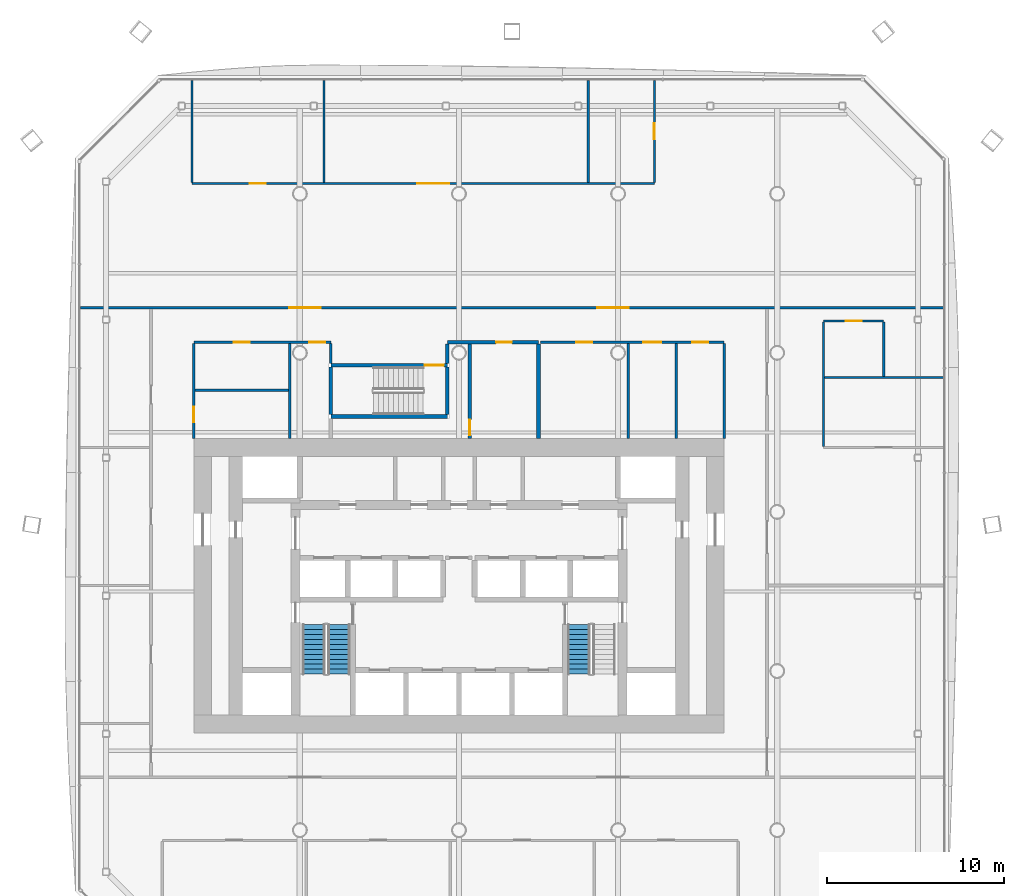
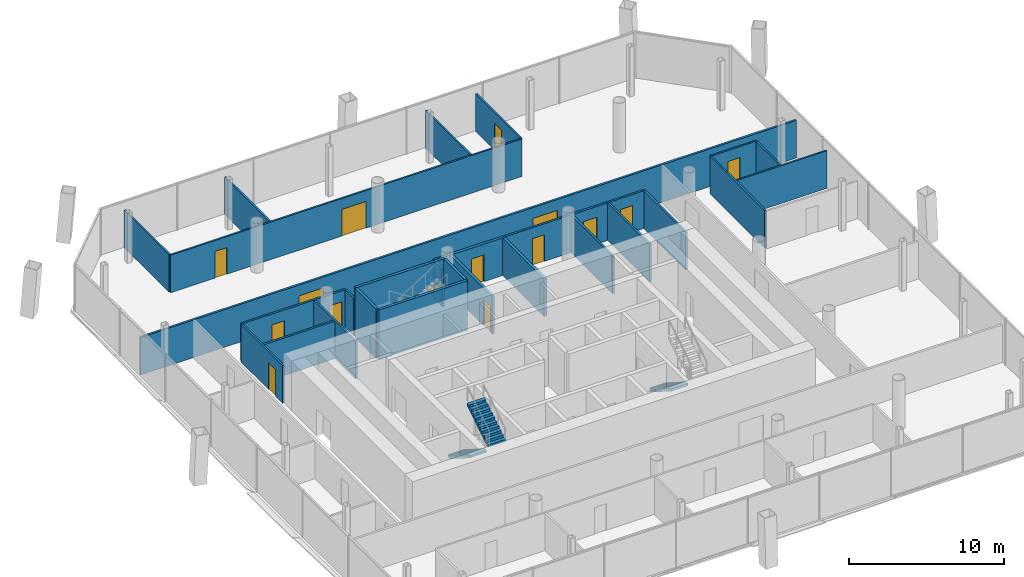
# One storey, part 13 of 19: 27 walls, 15 doors, 3 stair flights, 15 openings, 2 elements without a shape of their own.
"""IFC4 building model written with IfcOpenShell, lengths in metres."""

from ifc_helpers import new_model, si_unit, direction, frame, frame_2d, origin, place, context, subcontext, project, spatial, polyline, rectangle, outline, extrude, material, layer, layer_set, type_object, element, fill, aggregate, save


model = new_model("IFC4")

# Units and contexts
model_context = context("Model", 3, precision=1e-05, world=origin(), true_north=direction((0.0, 1.0)))
body_context = subcontext(model_context, "Body", "Model", "MODEL_VIEW")
ifc_project = project(units=[si_unit("LENGTHUNIT", "METRE"), si_unit("AREAUNIT", "SQUARE_METRE"), si_unit("VOLUMEUNIT", "CUBIC_METRE"), si_unit("PLANEANGLEUNIT", "RADIAN"), si_unit("MASSUNIT", "GRAM", prefix="KILO")], contexts=[model_context])

# Site, building, storey
site_placement = place(None, origin())
site = spatial("IfcSite", under=ifc_project, at=site_placement, CompositionType="ELEMENT")
building_placement = place(site_placement, origin())
building = spatial("IfcBuilding", under=site, at=building_placement, Name="Tskaro Facet Tower", CompositionType="ELEMENT")
storey_placement = place(building_placement, frame((0.0, 0.0, 93.300048828125)))
storey = spatial("IfcBuildingStorey", under=building, at=storey_placement, Name="L22", CompositionType="ELEMENT", Elevation=93.300048828125)

# Wall
ifc_material_1 = material(Name="Gypsum board on steel studs", Category="steel")
ifc_layer_1 = layer(ifc_material_1, 0.125, Name="Gypsum board on steel studs")
ifc_layer_set_1 = layer_set([ifc_layer_1], Name="Gypsum board on steel studs")
wall_type_1 = type_object("IfcWallType", Name="PART", PredefinedType="PARTITIONING", material=ifc_layer_set_1)
wall_1_placement = place(storey_placement, frame((20.6875, 7.60107421875, 0.0), z_axis=(0.0, 0.0, 1.0), x_axis=(1.0, 0.0, 0.0)))
element("IfcWall", 1, at=wall_1_placement, inside=storey, type_object=wall_type_1, Name="Partition W020", PredefinedType="PARTITIONING", context=body_context, shape_type="SweptSolid", body=[
    extrude(rectangle(XDim=6.7255859375, YDim=0.125, at=frame_2d((3.36279296875, 0.0))), origin(), (0.0, 0.0, 1.0), 2.9599609375),
])

# Wall, opening, door
wall_2_placement = place(storey_placement, frame((24.02490234375, 10.801025390625, 0.0), z_axis=(0.0, 0.0, 1.0), x_axis=(-1.0, 0.0, 0.0)))
wall_2 = element("IfcWall", 2, at=wall_2_placement, inside=storey, type_object=wall_type_1, Name="Partition W025", PredefinedType="PARTITIONING", context=body_context, shape_type="SweptSolid", body=[
    extrude(rectangle(XDim=3.39990234375, YDim=0.125, at=frame_2d((1.699951171875, 0.0))), origin(), (0.0, 0.0, 1.0), 2.9599609375),
])
opening_1_placement = place(wall_2_placement, frame((1.25, 0.0, 0.0)))
opening_1 = element("IfcOpeningElement", 3, at=opening_1_placement, cuts=wall_2, Name="Opening T6-D38", PredefinedType="OPENING", context=body_context, shape_type="SweptSolid", body=[
    extrude(rectangle(XDim=0.89990234375, YDim=2.10009765625, at=frame_2d((0.449951171875, 1.050048828125))), frame((0.0, 0.072509765625, 0.0), z_axis=(0.0, -1.0, 0.0), x_axis=(1.0, 0.0, 0.0)), (0.0, 0.0, 1.0), 0.14501953125),
])
ifc_material_2 = material(Name="Timber", Category="wood")
door_type_1 = type_object("IfcDoorType", Name="D-ROOM", OperationType="NOTDEFINED", PredefinedType="DOOR", material=ifc_material_2)
door_1_placement = place(opening_1_placement, origin())
door_1 = element("IfcDoor", 4, at=door_1_placement, inside=storey, type_object=door_type_1, Name="Door T6-D38", OperationType="SINGLE_SWING_RIGHT", OverallHeight=2.10009765625, OverallWidth=0.89990234375, PredefinedType="DOOR", context=body_context, shape_type="SweptSolid", body=[
    extrude(rectangle(XDim=0.89990234375, YDim=2.10009765625, at=frame_2d((0.449951171875, 1.050048828125))), frame((0.0, 0.02490234375, 0.0), z_axis=(0.0, -1.0, 0.0), x_axis=(1.0, 0.0, 0.0)), (0.0, 0.0, 1.0), 0.050048828125),
])
fill(opening_1, door_1)

# Wall, openings, doors
wall_3_placement = place(storey_placement, frame((-15.110107421875, 18.580078125, 0.0), z_axis=(0.0, 0.0, 1.0), x_axis=(1.0, 0.0, 0.0)))
wall_3 = element("IfcWall", 5, at=wall_3_placement, inside=storey, type_object=wall_type_1, Name="Partition W027", PredefinedType="PARTITIONING", context=body_context, shape_type="SweptSolid", body=[
    extrude(rectangle(XDim=26.166015625, YDim=0.125, at=frame_2d((13.0830078125, 0.0))), origin(), (0.0, 0.0, 1.0), 2.9599609375),
])
opening_2_placement = place(wall_3_placement, frame((12.751953125, 0.0, 0.0)))
opening_2 = element("IfcOpeningElement", 6, at=opening_2_placement, cuts=wall_3, Name="Opening T6-D42", PredefinedType="OPENING", context=body_context, shape_type="SweptSolid", body=[
    extrude(rectangle(XDim=1.800048828125, YDim=2.10009765625, at=frame_2d((0.89990234375, 1.050048828125))), frame((0.0, 0.072509765625, 0.0), z_axis=(0.0, -1.0, 0.0), x_axis=(1.0, 0.0, 0.0)), (0.0, 0.0, 1.0), 0.14501953125),
])
opening_3_placement = place(wall_3_placement, frame((3.2880859375, 0.0, 0.0)))
opening_3 = element("IfcOpeningElement", 7, at=opening_3_placement, cuts=wall_3, Name="Opening T6-D41", PredefinedType="OPENING", context=body_context, shape_type="SweptSolid", body=[
    extrude(rectangle(XDim=0.89990234375, YDim=2.10009765625, at=frame_2d((0.449951171875, 1.050048828125))), frame((0.0, 0.072509765625, 0.0), z_axis=(0.0, -1.0, 0.0), x_axis=(1.0, 0.0, 0.0)), (0.0, 0.0, 1.0), 0.14501953125),
])
ifc_material_3 = material(Name="Glass", Category="glass")
door_type_2 = type_object("IfcDoorType", Name="D-ENTRY-PAIR", OperationType="NOTDEFINED", PredefinedType="DOOR", material=ifc_material_3)
door_2_placement = place(opening_2_placement, origin())
door_2 = element("IfcDoor", 8, at=door_2_placement, inside=storey, type_object=door_type_2, Name="Door T6-D42", OperationType="DOUBLE_DOOR_SINGLE_SWING", OverallHeight=2.10009765625, OverallWidth=1.800048828125, PredefinedType="DOOR", context=body_context, shape_type="SweptSolid", body=[
    extrude(rectangle(XDim=1.800048828125, YDim=2.10009765625, at=frame_2d((0.89990234375, 1.050048828125))), frame((0.0, 0.02490234375, 0.0), z_axis=(0.0, -1.0, 0.0), x_axis=(1.0, 0.0, 0.0)), (0.0, 0.0, 1.0), 0.050048828125),
])
fill(opening_2, door_2)
door_3_placement = place(opening_3_placement, origin())
door_3 = element("IfcDoor", 9, at=door_3_placement, inside=storey, type_object=door_type_1, Name="Door T6-D41", OperationType="SINGLE_SWING_LEFT", OverallHeight=2.10009765625, OverallWidth=0.89990234375, PredefinedType="DOOR", context=body_context, shape_type="SweptSolid", body=[
    extrude(rectangle(XDim=0.89990234375, YDim=2.10009765625, at=frame_2d((0.449951171875, 1.050048828125))), frame((0.0, 0.02490234375, 0.0), z_axis=(0.0, -1.0, 0.0), x_axis=(1.0, 0.0, 0.0)), (0.0, 0.0, 1.0), 0.050048828125),
])
fill(opening_3, door_3)

# Walls
for number, where, z_axis, x_axis, name in (
    (10, (-15.110107421875, 18.642578125, 0.0), (0.0, 0.0, 1.0), (0.0, 1.0, 0.0), "Partition W030"),
    (11, (-7.634033203125, 18.642578125, 0.0), (0.0, 0.0, 1.0), (0.0, 1.0, 0.0), "Partition W035"),
    (12, (7.318115234375, 18.642578125, 0.0), (0.0, 0.0, 1.0), (0.0, 1.0, 0.0), "Partition W059"),
):
    element("IfcWall", number, at=place(storey_placement, frame(where, z_axis=z_axis, x_axis=x_axis)), inside=storey, type_object=wall_type_1, Name=name, PredefinedType="PARTITIONING", context=body_context, shape_type="SweptSolid", body=[
        extrude(rectangle(XDim=5.7705078125, YDim=0.125, at=frame_2d((2.88525390625, 0.0))), origin(), (0.0, 0.0, 1.0), 2.9599609375),
    ])

# Wall, opening, door
wall_4_placement = place(storey_placement, frame((11.055908203125, 18.642578125, 0.0), z_axis=(0.0, 0.0, 1.0), x_axis=(0.0, 1.0, 0.0)))
wall_4 = element("IfcWall", 13, at=wall_4_placement, inside=storey, type_object=wall_type_1, Name="Partition W063", PredefinedType="PARTITIONING", context=body_context, shape_type="SweptSolid", body=[
    extrude(rectangle(XDim=5.7705078125, YDim=0.125, at=frame_2d((2.88525390625, 0.0))), origin(), (0.0, 0.0, 1.0), 2.9599609375),
])
opening_4_placement = place(wall_4_placement, frame((2.435302734375, 0.0, 0.0)))
opening_4 = element("IfcOpeningElement", 14, at=opening_4_placement, cuts=wall_4, Name="Opening T6-D43", PredefinedType="OPENING", context=body_context, shape_type="SweptSolid", body=[
    extrude(rectangle(XDim=0.89990234375, YDim=2.10009765625, at=frame_2d((0.449951171875, 1.050048828125))), frame((0.0, 0.072509765625, 0.0), z_axis=(0.0, -1.0, 0.0), x_axis=(1.0, 0.0, 0.0)), (0.0, 0.0, 1.0), 0.14501953125),
])
door_4_placement = place(opening_4_placement, origin())
door_4 = element("IfcDoor", 15, at=door_4_placement, inside=storey, type_object=door_type_1, Name="Door T6-D43", OperationType="SINGLE_SWING_LEFT", OverallHeight=2.10009765625, OverallWidth=0.89990234375, PredefinedType="DOOR", context=body_context, shape_type="SweptSolid", body=[
    extrude(rectangle(XDim=0.89990234375, YDim=2.10009765625, at=frame_2d((0.449951171875, 1.050048828125))), frame((0.0, 0.02490234375, 0.0), z_axis=(0.0, -1.0, 0.0), x_axis=(1.0, 0.0, 0.0)), (0.0, 0.0, 1.0), 0.050048828125),
])
fill(opening_4, door_4)

# Walls
wall_5_placement = place(storey_placement, frame((20.625, 3.71044921875, 0.0), z_axis=(0.0, 0.0, 1.0), x_axis=(0.0, 1.0, 0.0)))
element("IfcWall", 16, at=wall_5_placement, inside=storey, type_object=wall_type_1, Name="Partition W068", PredefinedType="PARTITIONING", context=body_context, shape_type="SweptSolid", body=[
    extrude(rectangle(XDim=7.028076171875, YDim=0.125, at=frame_2d((3.51416015625, 0.0))), origin(), (0.0, 0.0, 1.0), 2.9599609375),
])
wall_6_placement = place(storey_placement, frame((24.02490234375, 7.66357421875, 0.0), z_axis=(0.0, 0.0, 1.0), x_axis=(0.0, 1.0, 0.0)))
element("IfcWall", 17, at=wall_6_placement, inside=storey, type_object=wall_type_1, Name="Partition W069", PredefinedType="PARTITIONING", context=body_context, shape_type="SweptSolid", body=[
    extrude(rectangle(XDim=3.074951171875, YDim=0.125, at=frame_2d((1.53759765625, 0.0))), origin(), (0.0, 0.0, 1.0), 2.9599609375),
])
ifc_layer_2 = layer(ifc_material_1, 0.14990234375, Name="Gypsum board on steel studs")
ifc_layer_set_2 = layer_set([ifc_layer_2], Name="Gypsum board on steel studs")
wall_type_2 = type_object("IfcWallType", Name="PART-CORR", PredefinedType="PARTITIONING", material=ifc_layer_set_2)
wall_7_placement = place(storey_placement, frame((-14.925048828125, 6.8779296875, 0.0), z_axis=(0.0, 0.0, 1.0), x_axis=(1.0, 0.0, 0.0)))
element("IfcWall", 18, at=wall_7_placement, inside=storey, type_object=wall_type_2, Name="Corridor wall W019", PredefinedType="PARTITIONING", context=body_context, shape_type="SweptSolid", body=[
    extrude(rectangle(XDim=5.275146484375, YDim=0.14990234375, at=frame_2d((2.6376953125, 0.0))), origin(), (0.0, 0.0, 1.0), 2.9599609375),
])

# Wall, openings, doors
wall_8_placement = place(storey_placement, frame((-7.25, 9.60498046875, 0.0), z_axis=(0.0, 0.0, 1.0), x_axis=(-1.0, 0.0, 0.0)))
wall_8 = element("IfcWall", 19, at=wall_8_placement, inside=storey, type_object=wall_type_2, Name="Corridor wall W022", PredefinedType="PARTITIONING", context=body_context, shape_type="SweptSolid", body=[
    extrude(rectangle(XDim=7.75, YDim=0.14990234375, at=frame_2d((3.875, 0.0))), origin(), (0.0, 0.0, 1.0), 2.9599609375),
])
opening_5_placement = place(wall_8_placement, frame((0.3125, 0.0, 0.0)))
opening_5 = element("IfcOpeningElement", 20, at=opening_5_placement, cuts=wall_8, Name="Opening T6-D33", PredefinedType="OPENING", context=body_context, shape_type="SweptSolid", body=[
    extrude(rectangle(XDim=0.89990234375, YDim=2.10009765625, at=frame_2d((0.449951171875, 1.050048828125))), frame((0.0, 0.0849609375, 0.0), z_axis=(0.0, -1.0, 0.0), x_axis=(1.0, 0.0, 0.0)), (0.0, 0.0, 1.0), 0.169921875),
])
opening_6_placement = place(wall_8_placement, frame((4.58740234375, 0.0, 0.0)))
opening_6 = element("IfcOpeningElement", 21, at=opening_6_placement, cuts=wall_8, Name="Opening T6-D32", PredefinedType="OPENING", context=body_context, shape_type="SweptSolid", body=[
    extrude(rectangle(XDim=0.89990234375, YDim=2.10009765625, at=frame_2d((0.449951171875, 1.050048828125))), frame((0.0, 0.0849609375, 0.0), z_axis=(0.0, -1.0, 0.0), x_axis=(1.0, 0.0, 0.0)), (0.0, 0.0, 1.0), 0.169921875),
])
ifc_material_4 = material(Name="Steel", Category="steel")
door_type_3 = type_object("IfcDoorType", Name="D-RISER", OperationType="NOTDEFINED", PredefinedType="DOOR", material=ifc_material_4)
door_5_placement = place(opening_5_placement, origin())
door_5 = element("IfcDoor", 22, at=door_5_placement, inside=storey, type_object=door_type_3, Name="Door T6-D33", OperationType="SINGLE_SWING_RIGHT", OverallHeight=2.10009765625, OverallWidth=0.89990234375, PredefinedType="DOOR", context=body_context, shape_type="SweptSolid", body=[
    extrude(rectangle(XDim=0.89990234375, YDim=2.10009765625, at=frame_2d((0.449951171875, 1.050048828125))), frame((0.0, 0.02490234375, 0.0), z_axis=(0.0, -1.0, 0.0), x_axis=(1.0, 0.0, 0.0)), (0.0, 0.0, 1.0), 0.050048828125),
])
fill(opening_5, door_5)
door_6_placement = place(opening_6_placement, origin())
door_6 = element("IfcDoor", 23, at=door_6_placement, inside=storey, type_object=door_type_1, Name="Door T6-D32", OperationType="SINGLE_SWING_RIGHT", OverallHeight=2.10009765625, OverallWidth=0.89990234375, PredefinedType="DOOR", context=body_context, shape_type="SweptSolid", body=[
    extrude(rectangle(XDim=0.89990234375, YDim=2.10009765625, at=frame_2d((0.449951171875, 1.050048828125))), frame((0.0, 0.02490234375, 0.0), z_axis=(0.0, -1.0, 0.0), x_axis=(1.0, 0.0, 0.0)), (0.0, 0.0, 1.0), 0.050048828125),
])
fill(opening_6, door_6)

wall_9_placement = place(storey_placement, frame((15.0, 9.60498046875, 0.0), z_axis=(0.0, 0.0, 1.0), x_axis=(-1.0, 0.0, 0.0)))
wall_9 = element("IfcWall", 24, at=wall_9_placement, inside=storey, type_object=wall_type_2, Name="Corridor wall W024", PredefinedType="PARTITIONING", context=body_context, shape_type="SweptSolid", body=[
    extrude(rectangle(XDim=10.39990234375, YDim=0.14990234375, at=frame_2d((5.199951171875, 0.0))), origin(), (0.0, 0.0, 1.0), 2.9599609375),
])
opening_7_placement = place(wall_9_placement, frame((0.89990234375, 0.0, 0.0)))
opening_7 = element("IfcOpeningElement", 25, at=opening_7_placement, cuts=wall_9, Name="Opening T6-D37", PredefinedType="OPENING", context=body_context, shape_type="SweptSolid", body=[
    extrude(rectangle(XDim=0.89990234375, YDim=2.10009765625, at=frame_2d((0.449951171875, 1.050048828125))), frame((0.0, 0.0849609375, 0.0), z_axis=(0.0, -1.0, 0.0), x_axis=(1.0, 0.0, 0.0)), (0.0, 0.0, 1.0), 0.169921875),
])
opening_8_placement = place(wall_9_placement, frame((7.46240234375, 0.0, 0.0)))
opening_8 = element("IfcOpeningElement", 26, at=opening_8_placement, cuts=wall_9, Name="Opening T6-D35", PredefinedType="OPENING", context=body_context, shape_type="SweptSolid", body=[
    extrude(rectangle(XDim=0.89990234375, YDim=2.10009765625, at=frame_2d((0.449951171875, 1.050048828125))), frame((0.0, 0.0849609375, 0.0), z_axis=(0.0, -1.0, 0.0), x_axis=(1.0, 0.0, 0.0)), (0.0, 0.0, 1.0), 0.169921875),
])
opening_9_placement = place(wall_9_placement, frame((3.5625, 0.0, 0.0)))
opening_9 = element("IfcOpeningElement", 27, at=opening_9_placement, cuts=wall_9, Name="Opening T6-D36", PredefinedType="OPENING", context=body_context, shape_type="SweptSolid", body=[
    extrude(rectangle(XDim=1.0, YDim=2.10009765625, at=frame_2d((0.5, 1.050048828125))), frame((0.0, 0.0849609375, 0.0), z_axis=(0.0, -1.0, 0.0), x_axis=(1.0, 0.0, 0.0)), (0.0, 0.0, 1.0), 0.169921875),
])
door_7_placement = place(opening_7_placement, origin())
door_7 = element("IfcDoor", 28, at=door_7_placement, inside=storey, type_object=door_type_1, Name="Door T6-D37", OperationType="SINGLE_SWING_RIGHT", OverallHeight=2.10009765625, OverallWidth=0.89990234375, PredefinedType="DOOR", context=body_context, shape_type="SweptSolid", body=[
    extrude(rectangle(XDim=0.89990234375, YDim=2.10009765625, at=frame_2d((0.449951171875, 1.050048828125))), frame((0.0, 0.02490234375, 0.0), z_axis=(0.0, -1.0, 0.0), x_axis=(1.0, 0.0, 0.0)), (0.0, 0.0, 1.0), 0.050048828125),
])
fill(opening_7, door_7)
door_8_placement = place(opening_8_placement, origin())
door_8 = element("IfcDoor", 29, at=door_8_placement, inside=storey, type_object=door_type_1, Name="Door T6-D35", OperationType="SINGLE_SWING_RIGHT", OverallHeight=2.10009765625, OverallWidth=0.89990234375, PredefinedType="DOOR", context=body_context, shape_type="SweptSolid", body=[
    extrude(rectangle(XDim=0.89990234375, YDim=2.10009765625, at=frame_2d((0.449951171875, 1.050048828125))), frame((0.0, 0.02490234375, 0.0), z_axis=(0.0, -1.0, 0.0), x_axis=(1.0, 0.0, 0.0)), (0.0, 0.0, 1.0), 0.050048828125),
])
fill(opening_8, door_8)
door_type_4 = type_object("IfcDoorType", Name="D-ROOM-WIDE", OperationType="NOTDEFINED", PredefinedType="DOOR", material=ifc_material_2)
door_9_placement = place(opening_9_placement, origin())
door_9 = element("IfcDoor", 30, at=door_9_placement, inside=storey, type_object=door_type_4, Name="Door T6-D36", OperationType="SINGLE_SWING_RIGHT", OverallHeight=2.10009765625, OverallWidth=1.0, PredefinedType="DOOR", context=body_context, shape_type="SweptSolid", body=[
    extrude(rectangle(XDim=1.0, YDim=2.10009765625, at=frame_2d((0.5, 1.050048828125))), frame((0.0, 0.02490234375, 0.0), z_axis=(0.0, -1.0, 0.0), x_axis=(1.0, 0.0, 0.0)), (0.0, 0.0, 1.0), 0.050048828125),
])
fill(opening_9, door_9)

wall_10_placement = place(storey_placement, frame((27.4130859375, 11.554931640625, 0.0), z_axis=(0.0, 0.0, 1.0), x_axis=(-1.0, 0.0, 0.0)))
wall_10 = element("IfcWall", 31, at=wall_10_placement, inside=storey, type_object=wall_type_2, Name="Corridor wall W026", PredefinedType="PARTITIONING", context=body_context, shape_type="SweptSolid", body=[
    extrude(rectangle(XDim=48.826171875, YDim=0.14990234375, at=frame_2d((24.4130859375, 0.0))), origin(), (0.0, 0.0, 1.0), 2.9599609375),
])
opening_10_placement = place(wall_10_placement, frame((35.22607421875, 0.0, 0.0)))
opening_10 = element("IfcOpeningElement", 32, at=opening_10_placement, cuts=wall_10, Name="Opening T6-D39", PredefinedType="OPENING", context=body_context, shape_type="SweptSolid", body=[
    extrude(rectangle(XDim=1.800048828125, YDim=2.10009765625, at=frame_2d((0.89990234375, 1.050048828125))), frame((0.0, 0.0849609375, 0.0), z_axis=(0.0, -1.0, 0.0), x_axis=(1.0, 0.0, 0.0)), (0.0, 0.0, 1.0), 0.169921875),
])
opening_11_placement = place(wall_10_placement, frame((17.800048828125, 0.0, 0.0)))
opening_11 = element("IfcOpeningElement", 33, at=opening_11_placement, cuts=wall_10, Name="Opening T6-D40", PredefinedType="OPENING", context=body_context, shape_type="SweptSolid", body=[
    extrude(rectangle(XDim=1.800048828125, YDim=2.10009765625, at=frame_2d((0.89990234375, 1.050048828125))), frame((0.0, 0.0849609375, 0.0), z_axis=(0.0, -1.0, 0.0), x_axis=(1.0, 0.0, 0.0)), (0.0, 0.0, 1.0), 0.169921875),
])
door_10_placement = place(opening_10_placement, origin())
door_10 = element("IfcDoor", 34, at=door_10_placement, inside=storey, type_object=door_type_2, Name="Door T6-D39", OperationType="DOUBLE_DOOR_SINGLE_SWING", OverallHeight=2.10009765625, OverallWidth=1.800048828125, PredefinedType="DOOR", context=body_context, shape_type="SweptSolid", body=[
    extrude(rectangle(XDim=1.800048828125, YDim=2.10009765625, at=frame_2d((0.89990234375, 1.050048828125))), frame((0.0, 0.02490234375, 0.0), z_axis=(0.0, -1.0, 0.0), x_axis=(1.0, 0.0, 0.0)), (0.0, 0.0, 1.0), 0.050048828125),
])
fill(opening_10, door_10)
door_11_placement = place(opening_11_placement, origin())
door_11 = element("IfcDoor", 35, at=door_11_placement, inside=storey, type_object=door_type_2, Name="Door T6-D40", OperationType="DOUBLE_DOOR_SINGLE_SWING", OverallHeight=2.10009765625, OverallWidth=1.800048828125, PredefinedType="DOOR", context=body_context, shape_type="SweptSolid", body=[
    extrude(rectangle(XDim=1.800048828125, YDim=2.10009765625, at=frame_2d((0.89990234375, 1.050048828125))), frame((0.0, 0.02490234375, 0.0), z_axis=(0.0, -1.0, 0.0), x_axis=(1.0, 0.0, 0.0)), (0.0, 0.0, 1.0), 0.050048828125),
])
fill(opening_11, door_11)

# Wall, opening, door
wall_11_placement = place(storey_placement, frame((-15.0, 9.530029296875, 0.0), z_axis=(0.0, 0.0, 1.0), x_axis=(0.0, -1.0, 0.0)))
wall_11 = element("IfcWall", 36, at=wall_11_placement, inside=storey, type_object=wall_type_2, Name="Corridor wall W031", PredefinedType="PARTITIONING", context=body_context, shape_type="SweptSolid", body=[
    extrude(rectangle(XDim=5.380126953125, YDim=0.14990234375, at=frame_2d((2.68994140625, 0.0))), origin(), (0.0, 0.0, 1.0), 2.9599609375),
])
opening_12_placement = place(wall_11_placement, frame((3.56591796875, 0.0, 0.0)))
opening_12 = element("IfcOpeningElement", 37, at=opening_12_placement, cuts=wall_11, Name="Opening T6-D29", PredefinedType="OPENING", context=body_context, shape_type="SweptSolid", body=[
    extrude(rectangle(XDim=0.89990234375, YDim=2.10009765625, at=frame_2d((0.449951171875, 1.050048828125))), frame((0.0, 0.0849609375, 0.0), z_axis=(0.0, -1.0, 0.0), x_axis=(1.0, 0.0, 0.0)), (0.0, 0.0, 1.0), 0.169921875),
])
door_12_placement = place(opening_12_placement, origin())
door_12 = element("IfcDoor", 38, at=door_12_placement, inside=storey, type_object=door_type_1, Name="Door T6-D29", OperationType="SINGLE_SWING_RIGHT", OverallHeight=2.10009765625, OverallWidth=0.89990234375, PredefinedType="DOOR", context=body_context, shape_type="SweptSolid", body=[
    extrude(rectangle(XDim=0.89990234375, YDim=2.10009765625, at=frame_2d((0.449951171875, 1.050048828125))), frame((0.0, 0.02490234375, 0.0), z_axis=(0.0, -1.0, 0.0), x_axis=(1.0, 0.0, 0.0)), (0.0, 0.0, 1.0), 0.050048828125),
])
fill(opening_12, door_12)

# Walls
wall_12_placement = place(storey_placement, frame((-9.574951171875, 4.14990234375, 0.0), z_axis=(0.0, 0.0, 1.0), x_axis=(0.0, 1.0, 0.0)))
element("IfcWall", 39, at=wall_12_placement, inside=storey, type_object=wall_type_2, Name="Corridor wall W032", PredefinedType="PARTITIONING", context=body_context, shape_type="SweptSolid", body=[
    extrude(rectangle(XDim=5.380126953125, YDim=0.14990234375, at=frame_2d((2.68994140625, 0.0))), origin(), (0.0, 0.0, 1.0), 2.9599609375),
])
wall_13_placement = place(storey_placement, frame((-7.25, 8.39990234375, 0.0), z_axis=(0.0, 0.0, 1.0), x_axis=(0.0, 1.0, 0.0)))
element("IfcWall", 40, at=wall_13_placement, inside=storey, type_object=wall_type_2, Name="Corridor wall W038", PredefinedType="PARTITIONING", context=body_context, shape_type="SweptSolid", body=[
    extrude(rectangle(XDim=1.130126953125, YDim=0.14990234375, at=frame_2d((0.56494140625, 0.0))), origin(), (0.0, 0.0, 1.0), 2.9599609375),
])
for number, where, z_axis, x_axis, name in (
    (41, (9.574951171875, 4.14990234375, 0.0), (0.0, 0.0, 1.0), (0.0, 1.0, 0.0), "Corridor wall W062"),
    (42, (12.300048828125, 4.14990234375, 0.0), (0.0, 0.0, 1.0), (0.0, 1.0, 0.0), "Corridor wall W064"),
    (43, (15.0, 4.14990234375, 0.0), (0.0, 0.0, 1.0), (0.0, 1.0, 0.0), "Corridor wall W065"),
):
    element("IfcWall", number, at=place(storey_placement, frame(where, z_axis=z_axis, x_axis=x_axis)), inside=storey, type_object=wall_type_2, Name=name, PredefinedType="PARTITIONING", context=body_context, shape_type="SweptSolid", body=[
        extrude(rectangle(XDim=5.380126953125, YDim=0.14990234375, at=frame_2d((2.68994140625, 0.0))), origin(), (0.0, 0.0, 1.0), 2.9599609375),
    ])
ifc_material_5 = material(Name="Concrete C60/75", Category="concrete")
ifc_layer_3 = layer(ifc_material_5, 0.199951171875, Name="Concrete C60/75")
ifc_layer_set_3 = layer_set([ifc_layer_3], Name="Concrete C60/75")
wall_type_3 = type_object("IfcWallType", Name="STAIR-WALL", PredefinedType="SHEAR", material=ifc_layer_set_3)
wall_14_placement = place(storey_placement, frame((-7.25, 5.39990234375, 0.0), z_axis=(0.0, 0.0, 1.0), x_axis=(1.0, 0.0, 0.0)))
element("IfcWall", 44, at=wall_14_placement, inside=storey, type_object=wall_type_3, Name="Stair wall W018", PredefinedType="SHEAR", context=body_context, shape_type="SweptSolid", body=[
    extrude(rectangle(XDim=6.60009765625, YDim=0.199951171875, at=frame_2d((3.300048828125, 0.0))), origin(), (0.0, 0.0, 1.0), 3.89990234375),
])

# Wall, opening, door
wall_15_placement = place(storey_placement, frame((-0.64990234375, 8.300048828125, 0.0), z_axis=(0.0, 0.0, 1.0), x_axis=(-1.0, 0.0, 0.0)))
wall_15 = element("IfcWall", 45, at=wall_15_placement, inside=storey, type_object=wall_type_3, Name="Stair wall W021", PredefinedType="SHEAR", context=body_context, shape_type="SweptSolid", body=[
    extrude(rectangle(XDim=6.60009765625, YDim=0.199951171875, at=frame_2d((3.300048828125, 0.0))), origin(), (0.0, 0.0, 1.0), 3.89990234375),
])
opening_13_placement = place(wall_15_placement, frame((0.199951171875, 0.0, 0.0)))
opening_13 = element("IfcOpeningElement", 46, at=opening_13_placement, cuts=wall_15, Name="Opening ST-3-D1", PredefinedType="OPENING", context=body_context, shape_type="SweptSolid", body=[
    extrude(rectangle(XDim=1.10009765625, YDim=2.10009765625, at=frame_2d((0.550048828125, 1.050048828125))), frame((0.0, 0.10986328125, 0.0), z_axis=(0.0, -1.0, 0.0), x_axis=(1.0, 0.0, 0.0)), (0.0, 0.0, 1.0), 0.219970703125),
])
door_type_5 = type_object("IfcDoorType", Name="D-STAIR", OperationType="NOTDEFINED", PredefinedType="DOOR", material=ifc_material_4)
door_13_placement = place(opening_13_placement, origin())
door_13 = element("IfcDoor", 47, at=door_13_placement, inside=storey, type_object=door_type_5, Name="Stair door 3", OperationType="SINGLE_SWING_RIGHT", OverallHeight=2.10009765625, OverallWidth=1.10009765625, PredefinedType="DOOR", context=body_context, shape_type="SweptSolid", body=[
    extrude(rectangle(XDim=1.10009765625, YDim=2.10009765625, at=frame_2d((0.550048828125, 1.050048828125))), frame((0.0, 0.02490234375, 0.0), z_axis=(0.0, -1.0, 0.0), x_axis=(1.0, 0.0, 0.0)), (0.0, 0.0, 1.0), 0.050048828125),
])
fill(opening_13, door_13)

# Walls
for number, where, z_axis, x_axis, name in (
    (48, (-7.25, 5.5, 0.0), (0.0, 0.0, 1.0), (0.0, 1.0, 0.0), "Stair wall W037"),
    (49, (-0.64990234375, 5.5, 0.0), (0.0, 0.0, 1.0), (0.0, 1.0, 0.0), "Stair wall W046"),
):
    element("IfcWall", number, at=place(storey_placement, frame(where, z_axis=z_axis, x_axis=x_axis)), inside=storey, type_object=wall_type_3, Name=name, PredefinedType="SHEAR", context=body_context, shape_type="SweptSolid", body=[
        extrude(rectangle(XDim=2.699951171875, YDim=0.199951171875, at=frame_2d((1.35009765625, 0.0))), origin(), (0.0, 0.0, 1.0), 3.89990234375),
    ])

# Wall, opening, door
ifc_material_6 = material(Name="Concrete C20/25", Category="concrete")
ifc_layer_4 = layer(ifc_material_6, 0.199951171875, Name="Concrete C20/25")
ifc_layer_set_4 = layer_set([ifc_layer_4], Name="Concrete C20/25")
wall_type_4 = type_object("IfcWallType", Name="WALL-RISER", PredefinedType="SOLIDWALL", material=ifc_layer_set_4)
wall_16_placement = place(storey_placement, frame((4.5, 9.60498046875, 0.0), z_axis=(0.0, 0.0, 1.0), x_axis=(-1.0, 0.0, 0.0)))
wall_16 = element("IfcWall", 50, at=wall_16_placement, inside=storey, type_object=wall_type_4, Name="Riser room wall W023", PredefinedType="SOLIDWALL", context=body_context, shape_type="SweptSolid", body=[
    extrude(rectangle(XDim=5.14990234375, YDim=0.199951171875, at=frame_2d((2.574951171875, 0.0))), origin(), (0.0, 0.0, 1.0), 2.9599609375),
])
opening_14_placement = place(wall_16_placement, frame((1.5, 0.0, 0.0)))
opening_14 = element("IfcOpeningElement", 51, at=opening_14_placement, cuts=wall_16, Name="Opening T6-D34", PredefinedType="OPENING", context=body_context, shape_type="SweptSolid", body=[
    extrude(rectangle(XDim=0.89990234375, YDim=2.10009765625, at=frame_2d((0.449951171875, 1.050048828125))), frame((0.0, 0.10986328125, 0.0), z_axis=(0.0, -1.0, 0.0), x_axis=(1.0, 0.0, 0.0)), (0.0, 0.0, 1.0), 0.219970703125),
])
door_14_placement = place(opening_14_placement, origin())
door_14 = element("IfcDoor", 52, at=door_14_placement, inside=storey, type_object=door_type_3, Name="Door T6-D34", OperationType="SINGLE_SWING_RIGHT", OverallHeight=2.10009765625, OverallWidth=0.89990234375, PredefinedType="DOOR", context=body_context, shape_type="SweptSolid", body=[
    extrude(rectangle(XDim=0.89990234375, YDim=2.10009765625, at=frame_2d((0.449951171875, 1.050048828125))), frame((0.0, 0.02490234375, 0.0), z_axis=(0.0, -1.0, 0.0), x_axis=(1.0, 0.0, 0.0)), (0.0, 0.0, 1.0), 0.050048828125),
])
fill(opening_14, door_14)

# Wall
wall_17_placement = place(storey_placement, frame((-0.64990234375, 8.39990234375, 0.0), z_axis=(0.0, 0.0, 1.0), x_axis=(0.0, 1.0, 0.0)))
element("IfcWall", 53, at=wall_17_placement, inside=storey, type_object=wall_type_4, Name="Riser room wall W047", PredefinedType="SOLIDWALL", context=body_context, shape_type="SweptSolid", body=[
    extrude(rectangle(XDim=1.10498046875, YDim=0.199951171875, at=frame_2d((0.552490234375, 0.0))), origin(), (0.0, 0.0, 1.0), 2.9599609375),
])

# Wall, opening, door
wall_18_placement = place(storey_placement, frame((0.60009765625, 4.14990234375, 0.0), z_axis=(0.0, 0.0, 1.0), x_axis=(0.0, 1.0, 0.0)))
wall_18 = element("IfcWall", 54, at=wall_18_placement, inside=storey, type_object=wall_type_4, Name="Riser room wall W050", PredefinedType="SOLIDWALL", context=body_context, shape_type="SweptSolid", body=[
    extrude(rectangle(XDim=5.35498046875, YDim=0.199951171875, at=frame_2d((2.677490234375, 0.0))), origin(), (0.0, 0.0, 1.0), 2.9599609375),
])
opening_15_placement = place(wall_18_placement, frame((0.175048828125, 0.0, 0.0)))
opening_15 = element("IfcOpeningElement", 55, at=opening_15_placement, cuts=wall_18, Name="Opening T6-D28", PredefinedType="OPENING", context=body_context, shape_type="SweptSolid", body=[
    extrude(rectangle(XDim=0.89990234375, YDim=2.10009765625, at=frame_2d((0.449951171875, 1.050048828125))), frame((0.0, 0.10986328125, 0.0), z_axis=(0.0, -1.0, 0.0), x_axis=(1.0, 0.0, 0.0)), (0.0, 0.0, 1.0), 0.219970703125),
])
door_15_placement = place(opening_15_placement, origin())
door_15 = element("IfcDoor", 56, at=door_15_placement, inside=storey, type_object=door_type_3, Name="Door T6-D28", OperationType="SINGLE_SWING_LEFT", OverallHeight=2.10009765625, OverallWidth=0.89990234375, PredefinedType="DOOR", context=body_context, shape_type="SweptSolid", body=[
    extrude(rectangle(XDim=0.89990234375, YDim=2.10009765625, at=frame_2d((0.449951171875, 1.050048828125))), frame((0.0, 0.02490234375, 0.0), z_axis=(0.0, -1.0, 0.0), x_axis=(1.0, 0.0, 0.0)), (0.0, 0.0, 1.0), 0.050048828125),
])
fill(opening_15, door_15)

# Wall
wall_19_placement = place(storey_placement, frame((4.5, 4.14990234375, 0.0), z_axis=(0.0, 0.0, 1.0), x_axis=(0.0, 1.0, 0.0)))
element("IfcWall", 57, at=wall_19_placement, inside=storey, type_object=wall_type_4, Name="Riser room wall W056", PredefinedType="SOLIDWALL", context=body_context, shape_type="SweptSolid", body=[
    extrude(rectangle(XDim=5.35498046875, YDim=0.199951171875, at=frame_2d((2.677490234375, 0.0))), origin(), (0.0, 0.0, 1.0), 2.9599609375),
])

# Stair, stair flights
ifc_material_7 = material(Name="Concrete C40/50", Category="concrete")
stair_type = type_object("IfcStairType", Name="ST-TWR", PredefinedType="HALF_TURN_STAIR", material=ifc_material_7)
stair_1_placement = place(storey_placement, origin())
stair_1 = element("IfcStair", 58, at=stair_1_placement, inside=storey, type_object=stair_type, Name="L22 Exit stair 1", PredefinedType="HALF_TURN_STAIR")
stair_flight_type = type_object("IfcStairFlightType", Name="SFL-RC", PredefinedType="STRAIGHT", material=ifc_material_7)
stair_flight_1_placement = place(storey_placement, frame((-8.21240234375, -6.375, 0.0), z_axis=(0.0, 0.0, 1.0), x_axis=(0.0, -1.0, 0.0)))
stair_flight_1 = element("IfcStairFlight", 59, at=stair_flight_1_placement, type_object=stair_flight_type, Name="ST-1 flight 1", NumberOfRisers=11, NumberOfTreads=10, PredefinedType="STRAIGHT", RiserHeight=0.177272727, TreadLength=0.28, context=body_context, shape_type="SweptSolid", body=[
    extrude(outline(polyline([(0.0, 0.0), (0.0, 0.17724609375), (0.280029296875, 0.17724609375), (0.280029296875, 0.3544921875), (0.56005859375, 0.3544921875), (0.56005859375, 0.53173828125), (0.840087890625, 0.53173828125), (0.840087890625, 0.708984375), (1.1201171875, 0.708984375), (1.1201171875, 0.886474609375), (1.39990234375, 0.886474609375), (1.39990234375, 1.063720703125), (1.679931640625, 1.063720703125), (1.679931640625, 1.240966796875), (1.9599609375, 1.240966796875), (1.9599609375, 1.418212890625), (2.239990234375, 1.418212890625), (2.239990234375, 1.595458984375), (2.52001953125, 1.595458984375), (2.52001953125, 1.772705078125), (2.800048828125, 1.772705078125), (2.800048828125, 1.949951171875), (2.800048828125, 1.59521484375), (0.2802734375, 0.0), (0.0, 0.0)])), frame((0.0, 0.637451171875, 0.0), z_axis=(0.0, -1.0, 0.0), x_axis=(1.0, 0.0, 0.0)), (0.0, 0.0, 1.0), 1.27490234375),
])
stair_flight_2_placement = place(storey_placement, frame((-6.78759765625, -9.175048828125, 1.949951171875), z_axis=(0.0, 0.0, 1.0), x_axis=(0.0, 1.0, 0.0)))
stair_flight_2 = element("IfcStairFlight", 60, at=stair_flight_2_placement, type_object=stair_flight_type, Name="ST-1 flight 2", NumberOfRisers=11, NumberOfTreads=10, PredefinedType="STRAIGHT", RiserHeight=0.177272727, TreadLength=0.28, context=body_context, shape_type="SweptSolid", body=[
    extrude(outline(polyline([(0.0, 0.0), (0.0, 0.17724609375), (0.280029296875, 0.17724609375), (0.280029296875, 0.3544921875), (0.56005859375, 0.3544921875), (0.56005859375, 0.53173828125), (0.840087890625, 0.53173828125), (0.840087890625, 0.708984375), (1.1201171875, 0.708984375), (1.1201171875, 0.886474609375), (1.39990234375, 0.886474609375), (1.39990234375, 1.063720703125), (1.679931640625, 1.063720703125), (1.679931640625, 1.240966796875), (1.9599609375, 1.240966796875), (1.9599609375, 1.418212890625), (2.239990234375, 1.418212890625), (2.239990234375, 1.595458984375), (2.52001953125, 1.595458984375), (2.52001953125, 1.772705078125), (2.800048828125, 1.772705078125), (2.800048828125, 1.949951171875), (2.800048828125, 1.59521484375), (0.2802734375, 0.0), (0.0, 0.0)])), frame((0.0, 0.637451171875, 0.0), z_axis=(0.0, -1.0, 0.0), x_axis=(1.0, 0.0, 0.0)), (0.0, 0.0, 1.0), 1.27490234375),
])
aggregate(stair_1, [stair_flight_1, stair_flight_2])

# Stair, stair flight
stair_2_placement = place(storey_placement, origin())
stair_2 = element("IfcStair", 61, at=stair_2_placement, inside=storey, type_object=stair_type, Name="L22 Exit stair 2", PredefinedType="HALF_TURN_STAIR")
stair_flight_3_placement = place(storey_placement, frame((6.78759765625, -6.375, 0.0), z_axis=(0.0, 0.0, 1.0), x_axis=(0.0, -1.0, 0.0)))
stair_flight_3 = element("IfcStairFlight", 62, at=stair_flight_3_placement, type_object=stair_flight_type, Name="ST-2 flight 1", NumberOfRisers=11, NumberOfTreads=10, PredefinedType="STRAIGHT", RiserHeight=0.177272727, TreadLength=0.28, context=body_context, shape_type="SweptSolid", body=[
    extrude(outline(polyline([(0.0, 0.0), (0.0, 0.17724609375), (0.280029296875, 0.17724609375), (0.280029296875, 0.3544921875), (0.56005859375, 0.3544921875), (0.56005859375, 0.53173828125), (0.840087890625, 0.53173828125), (0.840087890625, 0.708984375), (1.1201171875, 0.708984375), (1.1201171875, 0.886474609375), (1.39990234375, 0.886474609375), (1.39990234375, 1.063720703125), (1.679931640625, 1.063720703125), (1.679931640625, 1.240966796875), (1.9599609375, 1.240966796875), (1.9599609375, 1.418212890625), (2.239990234375, 1.418212890625), (2.239990234375, 1.595458984375), (2.52001953125, 1.595458984375), (2.52001953125, 1.772705078125), (2.800048828125, 1.772705078125), (2.800048828125, 1.949951171875), (2.800048828125, 1.59521484375), (0.2802734375, 0.0), (0.0, 0.0)])), frame((0.0, 0.637451171875, 0.0), z_axis=(0.0, -1.0, 0.0), x_axis=(1.0, 0.0, 0.0)), (0.0, 0.0, 1.0), 1.27490234375),
])
aggregate(stair_2, [stair_flight_3])

save(model, "model.ifc")
